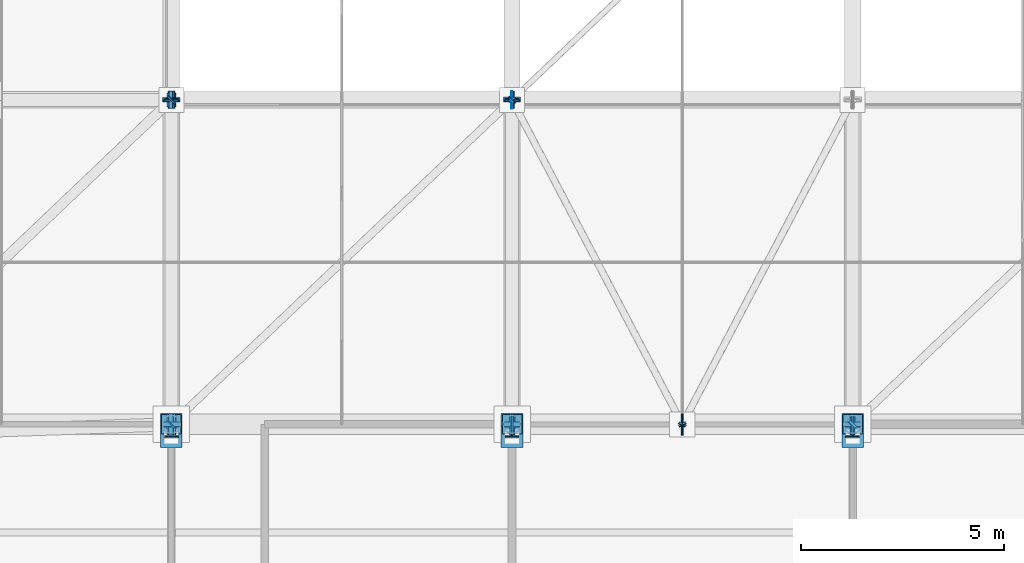
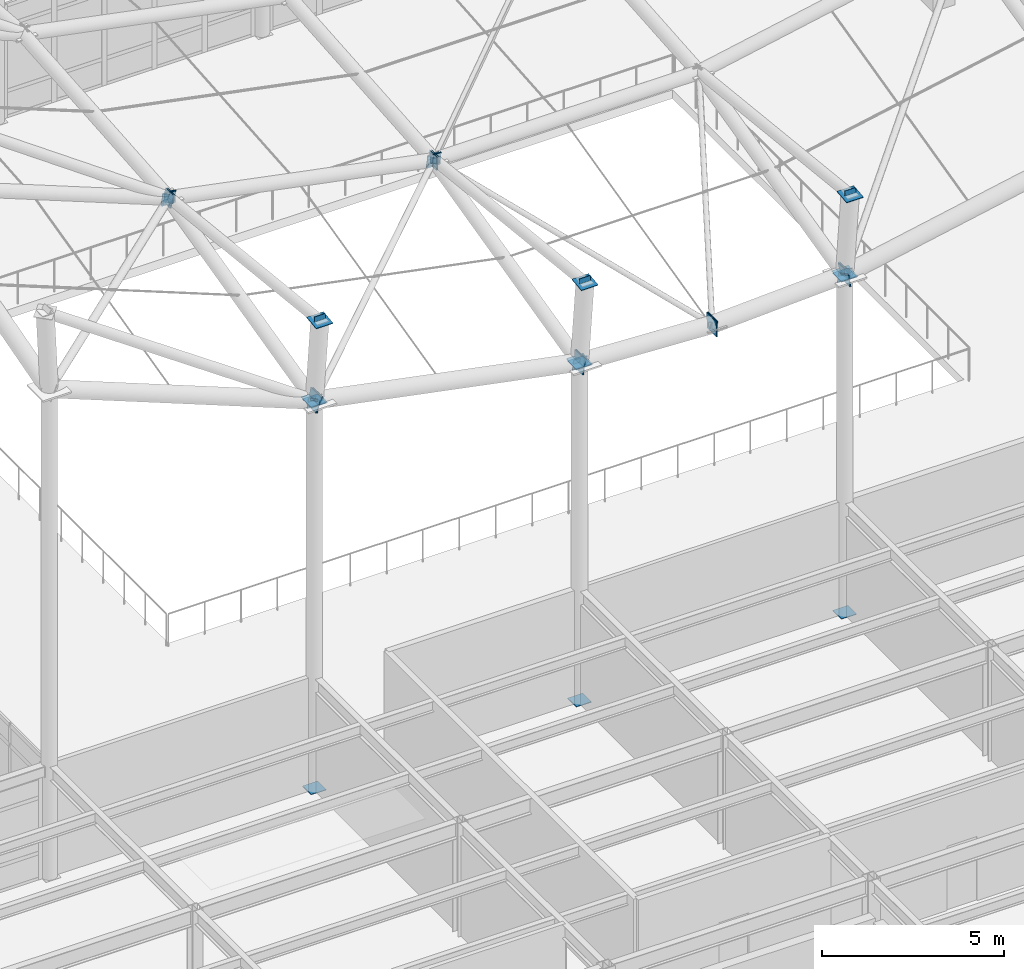
# One storey, part 95 of 138: 45 discrete accessories.
"""IFC4 building model written with IfcOpenShell, lengths in metres."""

from ifc_helpers import new_model, si_unit, direction, frame, origin, origin_2d, place, context, subcontext, project, spatial, rectangle, extrude, material, layer, layer_set, type_object, element, save


model = new_model("IFC4")

# Units and contexts
model_context = context("Model", 3, precision=1e-05, world=origin(), true_north=direction((0.0, 1.0)))
body_context = subcontext(model_context, "Body", "Model", "MODEL_VIEW")
ifc_project = project(units=[si_unit("LENGTHUNIT", "METRE"), si_unit("AREAUNIT", "SQUARE_METRE"), si_unit("VOLUMEUNIT", "CUBIC_METRE"), si_unit("PLANEANGLEUNIT", "RADIAN"), si_unit("MASSUNIT", "GRAM", prefix="KILO")], contexts=[model_context])

# Site, building, storey
site_placement = place(None, origin())
site = spatial("IfcSite", under=ifc_project, at=site_placement, CompositionType="ELEMENT")
building_placement = place(site_placement, origin())
building = spatial("IfcBuilding", under=site, at=building_placement, Name="Kranzveld Transit Interchange", CompositionType="ELEMENT")
storey_placement = place(building_placement, frame((0.0, 0.0, 5.43994140625)))
storey = spatial("IfcBuildingStorey", under=building, at=storey_placement, Name="L01", CompositionType="ELEMENT", Elevation=5.43994140625)

# Discrete accessories
ifc_material = material(Name="Steel S355JR", Category="steel")
ifc_layer = layer(ifc_material, 0.02001953125)
ifc_layer_set = layer_set([ifc_layer], Name="Steel S355JR")
discrete_accessory_type = type_object("IfcDiscreteAccessoryType", Name="Hollow Section End Cap Bracket 20 S355JR", PredefinedType="BRACKET", material=ifc_layer_set)
for number, where, z_axis, x_axis, name in (
    (1, (67.199951171875, 56.0, 0.004150390625), (0.0, 0.0, -1.0), (1.0, 0.0, 0.0), "Hollow Section End Cap C-CHS457-1"),
    (2, (67.199951171875, 56.0, 12.947998046875), (0.0, 0.0, 1.0), (1.0, 0.0, 0.0), "Hollow Section End Cap C-CHS457-2"),
    (3, (75.60009765625, 56.0, 0.004150390625), (0.0, 0.0, -1.0), (1.0, 0.0, 0.0), "Hollow Section End Cap C-CHS457-1"),
):
    element("IfcDiscreteAccessory", number, at=place(storey_placement, frame(where, z_axis=z_axis, x_axis=x_axis)), inside=storey, type_object=discrete_accessory_type, Name=name, PredefinedType="BRACKET", context=body_context, shape_type="SweptSolid", body=[
        extrude(rectangle(XDim=0.48095703125, YDim=0.48095703125, at=origin_2d()), origin(), (0.0, 0.0, 1.0), 0.02001953125),
    ])
discrete_accessory_1_placement = place(storey_placement, frame((75.60009765625, 56.0, 11.2841796875), z_axis=(0.0, 0.0, 1.0), x_axis=(1.0, 0.0, 0.0)))
element("IfcDiscreteAccessory", 4, at=discrete_accessory_1_placement, inside=storey, type_object=discrete_accessory_type, Name="Hollow Section End Cap C-CHS457-2", PredefinedType="BRACKET", context=body_context, shape_type="SweptSolid", body=[
    extrude(rectangle(XDim=0.48095703125, YDim=0.48095703125, at=origin_2d()), origin(), (0.0, 0.0, 1.0), 0.019775390625),
])
discrete_accessory_2_placement = place(storey_placement, frame((84.0, 56.0, 0.004150390625), z_axis=(0.0, 0.0, -1.0), x_axis=(1.0, 0.0, 0.0)))
element("IfcDiscreteAccessory", 5, at=discrete_accessory_2_placement, inside=storey, type_object=discrete_accessory_type, Name="Hollow Section End Cap C-CHS457-1", PredefinedType="BRACKET", context=body_context, shape_type="SweptSolid", body=[
    extrude(rectangle(XDim=0.48095703125, YDim=0.48095703125, at=origin_2d()), origin(), (0.0, 0.0, 1.0), 0.02001953125),
])
discrete_accessory_3_placement = place(storey_placement, frame((84.0, 56.0, 11.2841796875), z_axis=(0.0, 0.0, 1.0), x_axis=(1.0, 0.0, 0.0)))
element("IfcDiscreteAccessory", 6, at=discrete_accessory_3_placement, inside=storey, type_object=discrete_accessory_type, Name="Hollow Section End Cap C-CHS457-2", PredefinedType="BRACKET", context=body_context, shape_type="SweptSolid", body=[
    extrude(rectangle(XDim=0.48095703125, YDim=0.48095703125, at=origin_2d()), origin(), (0.0, 0.0, 1.0), 0.019775390625),
])
for number, where, z_axis, x_axis, name in (
    (7, (67.1962890625, 56.0, 12.983642578125), (0.925934612024, 0.0, -0.377683854905), (0.0, 1.0, 0.0), "Hollow Section End Cap B-RNG508-2"),
    (8, (67.203857421875, 56.0, 12.981201171875), (-0.980580675691, 0.0, 0.196116135138), (0.0, -1.0, 0.0), "Hollow Section End Cap B-RNG508-1"),
    (9, (75.59619140625, 56.0, 11.31884765625), (0.980580675691, 0.0, -0.196116135138), (0.0, 1.0, 0.0), "Hollow Section End Cap B-RNG508-2"),
    (10, (75.60400390625, 56.0, 11.31787109375), (-0.998812351125, 0.0, 0.048722553713), (0.0, -1.0, 0.0), "Hollow Section End Cap B-RNG508-1"),
    (11, (79.7958984375, 56.0, 11.1103515625), (0.998812351125, 0.0, -0.048722553713), (0.0, 1.0, 0.0), "Hollow Section End Cap B-RNG508-2"),
    (12, (79.803955078125, 56.0, 11.1103515625), (-0.998812351125, 0.0, -0.048722553713), (0.0, -1.0, 0.0), "Hollow Section End Cap B-RNG508-1"),
):
    element("IfcDiscreteAccessory", number, at=place(storey_placement, frame(where, z_axis=z_axis, x_axis=x_axis)), inside=storey, type_object=discrete_accessory_type, Name=name, PredefinedType="BRACKET", context=body_context, shape_type="SweptSolid", body=[
        extrude(rectangle(XDim=0.531982421875, YDim=0.531982421875, at=origin_2d()), origin(), (0.0, 0.0, 1.0), 0.02001953125),
    ])
discrete_accessory_4_placement = place(storey_placement, frame((83.99609375, 56.0, 11.31787109375), z_axis=(0.99878289929, 0.0, 0.049322612311), x_axis=(0.0, 1.0, 0.0)))
element("IfcDiscreteAccessory", 13, at=discrete_accessory_4_placement, inside=storey, type_object=discrete_accessory_type, Name="Hollow Section End Cap B-RNG508-2", PredefinedType="BRACKET", context=body_context, shape_type="SweptSolid", body=[
    extrude(rectangle(XDim=0.531982421875, YDim=0.531982421875, at=origin_2d()), origin(), (0.0, 0.0, 1.0), 0.019775390625),
])
discrete_accessory_5_placement = place(storey_placement, frame((84.00390625, 56.0, 11.31884765625), z_axis=(-0.980580675691, 0.0, -0.196116135138), x_axis=(0.0, -1.0, 0.0)))
element("IfcDiscreteAccessory", 14, at=discrete_accessory_5_placement, inside=storey, type_object=discrete_accessory_type, Name="Hollow Section End Cap B-RNG508-1", PredefinedType="BRACKET", context=body_context, shape_type="SweptSolid", body=[
    extrude(rectangle(XDim=0.531982421875, YDim=0.531982421875, at=origin_2d()), origin(), (0.0, 0.0, 1.0), 0.02001953125),
])
discrete_accessory_6_placement = place(storey_placement, frame((67.19677734375, 64.0, 14.934326171875), z_axis=(0.81865747399, 0.0, -0.57428210862), x_axis=(0.0, 1.0, 0.0)))
element("IfcDiscreteAccessory", 15, at=discrete_accessory_6_placement, inside=storey, type_object=discrete_accessory_type, Name="Hollow Section End Cap ST-CHS324-1", PredefinedType="BRACKET", context=body_context, shape_type="SweptSolid", body=[
    extrude(rectangle(XDim=0.347900390625, YDim=0.347900390625, at=origin_2d()), origin(), (0.0, 0.0, 1.0), 0.02001953125),
])
discrete_accessory_7_placement = place(storey_placement, frame((67.199951171875, 55.99951171875, 13.006103515625), z_axis=(0.0, 0.109100928002, -0.994030677348), x_axis=(-1.0, 0.0, 0.0)))
element("IfcDiscreteAccessory", 16, at=discrete_accessory_7_placement, inside=storey, type_object=discrete_accessory_type, Name="Hollow Section End Cap C-MST508-1", PredefinedType="BRACKET", context=body_context, shape_type="SweptSolid", body=[
    extrude(rectangle(XDim=0.531982421875, YDim=0.531982421875, at=origin_2d()), origin(), (0.0, 0.0, 1.0), 0.02001953125),
])
discrete_accessory_8_placement = place(storey_placement, frame((67.199951171875, 55.700439453125, 15.828125), z_axis=(0.0, -0.110431526075, 0.993883734674), x_axis=(1.0, 0.0, 0.0)))
element("IfcDiscreteAccessory", 17, at=discrete_accessory_8_placement, inside=storey, type_object=discrete_accessory_type, Name="Hollow Section End Cap C-MST508-2", PredefinedType="BRACKET", context=body_context, shape_type="SweptSolid", body=[
    extrude(rectangle(XDim=0.531982421875, YDim=0.531982421875, at=origin_2d()), origin(), (0.0, 0.0, 1.0), 0.019775390625),
])
for number, where, z_axis, x_axis, name in (
    (18, (67.199951171875, 63.99609375, 14.932373046875), (0.0, 0.995158089271, -0.098287218693), (-1.0, 0.0, 0.0), "Hollow Section End Cap ST-CHS324-1"),
    (19, (67.199951171875, 55.703857421875, 15.83154296875), (0.0, -0.993883734674, 0.110431526075), (1.0, 0.0, 0.0), "Hollow Section End Cap ST-CHS324-2"),
):
    element("IfcDiscreteAccessory", number, at=place(storey_placement, frame(where, z_axis=z_axis, x_axis=x_axis)), inside=storey, type_object=discrete_accessory_type, Name=name, PredefinedType="BRACKET", context=body_context, shape_type="SweptSolid", body=[
        extrude(rectangle(XDim=0.347900390625, YDim=0.347900390625, at=origin_2d()), origin(), (0.0, 0.0, 1.0), 0.019775390625),
    ])
discrete_accessory_9_placement = place(storey_placement, frame((75.60009765625, 55.99951171875, 11.342041015625), z_axis=(0.0, 0.110431526075, -0.993883734674), x_axis=(-1.0, 0.0, 0.0)))
element("IfcDiscreteAccessory", 20, at=discrete_accessory_9_placement, inside=storey, type_object=discrete_accessory_type, Name="Hollow Section End Cap C-MST508-1", PredefinedType="BRACKET", context=body_context, shape_type="SweptSolid", body=[
    extrude(rectangle(XDim=0.531982421875, YDim=0.531982421875, at=origin_2d()), origin(), (0.0, 0.0, 1.0), 0.019775390625),
])
discrete_accessory_10_placement = place(storey_placement, frame((75.60009765625, 55.700439453125, 14.1640625), z_axis=(0.0, -0.109100928002, 0.994030677348), x_axis=(1.0, 0.0, 0.0)))
element("IfcDiscreteAccessory", 21, at=discrete_accessory_10_placement, inside=storey, type_object=discrete_accessory_type, Name="Hollow Section End Cap C-MST508-2", PredefinedType="BRACKET", context=body_context, shape_type="SweptSolid", body=[
    extrude(rectangle(XDim=0.531982421875, YDim=0.531982421875, at=origin_2d()), origin(), (0.0, 0.0, 1.0), 0.02001953125),
])
for number, where, z_axis, x_axis, name in (
    (22, (75.60009765625, 63.99609375, 13.2685546875), (0.0, 0.993883734674, -0.110431526075), (-1.0, 0.0, 0.0), "Hollow Section End Cap ST-CHS324-1"),
    (23, (75.60009765625, 55.703857421875, 14.167724609375), (0.0, -0.995158089271, 0.098287218693), (1.0, 0.0, 0.0), "Hollow Section End Cap ST-CHS324-2"),
):
    element("IfcDiscreteAccessory", number, at=place(storey_placement, frame(where, z_axis=z_axis, x_axis=x_axis)), inside=storey, type_object=discrete_accessory_type, Name=name, PredefinedType="BRACKET", context=body_context, shape_type="SweptSolid", body=[
        extrude(rectangle(XDim=0.347900390625, YDim=0.347900390625, at=origin_2d()), origin(), (0.0, 0.0, 1.0), 0.019775390625),
    ])
discrete_accessory_11_placement = place(storey_placement, frame((84.0, 55.99951171875, 11.342041015625), z_axis=(0.0, 0.110431526075, -0.993883734674), x_axis=(-1.0, 0.0, 0.0)))
element("IfcDiscreteAccessory", 24, at=discrete_accessory_11_placement, inside=storey, type_object=discrete_accessory_type, Name="Hollow Section End Cap C-MST508-1", PredefinedType="BRACKET", context=body_context, shape_type="SweptSolid", body=[
    extrude(rectangle(XDim=0.531982421875, YDim=0.531982421875, at=origin_2d()), origin(), (0.0, 0.0, 1.0), 0.019775390625),
])
discrete_accessory_12_placement = place(storey_placement, frame((84.0, 55.700439453125, 14.1640625), z_axis=(0.0, -0.109100928002, 0.994030677348), x_axis=(1.0, 0.0, 0.0)))
element("IfcDiscreteAccessory", 25, at=discrete_accessory_12_placement, inside=storey, type_object=discrete_accessory_type, Name="Hollow Section End Cap C-MST508-2", PredefinedType="BRACKET", context=body_context, shape_type="SweptSolid", body=[
    extrude(rectangle(XDim=0.531982421875, YDim=0.531982421875, at=origin_2d()), origin(), (0.0, 0.0, 1.0), 0.02001953125),
])
discrete_accessory_13_placement = place(storey_placement, frame((84.0, 55.703857421875, 14.167724609375), z_axis=(0.0, -0.995158089271, 0.098287218693), x_axis=(1.0, 0.0, 0.0)))
element("IfcDiscreteAccessory", 26, at=discrete_accessory_13_placement, inside=storey, type_object=discrete_accessory_type, Name="Hollow Section End Cap ST-CHS324-2", PredefinedType="BRACKET", context=body_context, shape_type="SweptSolid", body=[
    extrude(rectangle(XDim=0.347900390625, YDim=0.347900390625, at=origin_2d()), origin(), (0.0, 0.0, 1.0), 0.019775390625),
])
for number, where, z_axis, x_axis, name in (
    (27, (67.199951171875, 56.00390625, 12.953125), (0.0, -0.970142500145, -0.242535625036), (1.0, 0.0, 0.0), "Hollow Section End Cap B-RIB406-1"),
    (28, (67.199951171875, 63.99609375, 14.901123046875), (0.0, 0.97293655072, 0.231072430796), (-1.0, 0.0, 0.0), "Hollow Section End Cap B-RIB406-2"),
):
    element("IfcDiscreteAccessory", number, at=place(storey_placement, frame(where, z_axis=z_axis, x_axis=x_axis)), inside=storey, type_object=discrete_accessory_type, Name=name, PredefinedType="BRACKET", context=body_context, shape_type="SweptSolid", body=[
        extrude(rectangle(XDim=0.430419921875, YDim=0.430419921875, at=origin_2d()), origin(), (0.0, 0.0, 1.0), 0.02001953125),
    ])
discrete_accessory_14_placement = place(storey_placement, frame((67.199951171875, 64.00390625, 14.90234375), z_axis=(0.0, -0.997267754457, -0.073871685515), x_axis=(1.0, 0.0, 0.0)))
element("IfcDiscreteAccessory", 29, at=discrete_accessory_14_placement, inside=storey, type_object=discrete_accessory_type, Name="Hollow Section End Cap B-RIB406-1", PredefinedType="BRACKET", context=body_context, shape_type="SweptSolid", body=[
    extrude(rectangle(XDim=0.430419921875, YDim=0.430419921875, at=origin_2d()), origin(), (0.0, 0.0, 1.0), 0.019775390625),
])
for number, where, z_axis, x_axis, name in (
    (30, (75.60009765625, 56.00390625, 11.2890625), (0.0, -0.970142500145, -0.242535625036), (1.0, 0.0, 0.0), "Hollow Section End Cap B-RIB406-1"),
    (31, (75.60009765625, 63.99609375, 13.237060546875), (0.0, 0.970142500145, 0.242535625036), (-1.0, 0.0, 0.0), "Hollow Section End Cap B-RIB406-2"),
):
    element("IfcDiscreteAccessory", number, at=place(storey_placement, frame(where, z_axis=z_axis, x_axis=x_axis)), inside=storey, type_object=discrete_accessory_type, Name=name, PredefinedType="BRACKET", context=body_context, shape_type="SweptSolid", body=[
        extrude(rectangle(XDim=0.430419921875, YDim=0.430419921875, at=origin_2d()), origin(), (0.0, 0.0, 1.0), 0.02001953125),
    ])
discrete_accessory_15_placement = place(storey_placement, frame((75.60009765625, 64.00390625, 13.23828125), z_axis=(0.0, -0.997267754457, -0.073871685515), x_axis=(1.0, 0.0, 0.0)))
element("IfcDiscreteAccessory", 32, at=discrete_accessory_15_placement, inside=storey, type_object=discrete_accessory_type, Name="Hollow Section End Cap B-RIB406-1", PredefinedType="BRACKET", context=body_context, shape_type="SweptSolid", body=[
    extrude(rectangle(XDim=0.430419921875, YDim=0.430419921875, at=origin_2d()), origin(), (0.0, 0.0, 1.0), 0.019775390625),
])
for number, where, z_axis, x_axis, name in (
    (33, (84.0, 56.00390625, 11.2890625), (0.0, -0.970142500145, -0.242535625036), (1.0, 0.0, 0.0), "Hollow Section End Cap B-RIB406-1"),
    (34, (67.1962890625, 64.0, 14.903564453125), (0.930155221331, 0.0, -0.367166534736), (0.0, 1.0, 0.0), "Hollow Section End Cap B-RIB406-2"),
    (35, (67.203857421875, 64.0, 14.9013671875), (-0.980580675691, 0.0, 0.196116135138), (0.0, -1.0, 0.0), "Hollow Section End Cap B-RIB406-1"),
    (36, (75.59619140625, 64.0, 13.23876953125), (0.980580675691, 0.0, -0.196116135138), (0.0, 1.0, 0.0), "Hollow Section End Cap B-RIB406-2"),
    (37, (75.60400390625, 64.0, 13.238037109375), (-1.0, 0.0, 0.0), (0.0, -1.0, 0.0), "Hollow Section End Cap B-RIB406-1"),
):
    element("IfcDiscreteAccessory", number, at=place(storey_placement, frame(where, z_axis=z_axis, x_axis=x_axis)), inside=storey, type_object=discrete_accessory_type, Name=name, PredefinedType="BRACKET", context=body_context, shape_type="SweptSolid", body=[
        extrude(rectangle(XDim=0.430419921875, YDim=0.430419921875, at=origin_2d()), origin(), (0.0, 0.0, 1.0), 0.02001953125),
    ])
discrete_accessory_16_placement = place(storey_placement, frame((67.197021484375, 63.997314453125, 14.882568359375), z_axis=(0.719887010803, 0.683282586524, -0.122014747594), x_axis=(-0.688426310031, 0.725306290926, 0.0)))
element("IfcDiscreteAccessory", 38, at=discrete_accessory_16_placement, inside=storey, type_object=discrete_accessory_type, Name="Hollow Section End Cap BR-CHS244-2", PredefinedType="BRACKET", context=body_context, shape_type="SweptSolid", body=[
    extrude(rectangle(XDim=0.2685546875, YDim=0.2685546875, at=origin_2d()), origin(), (0.0, 0.0, 1.0), 0.02001953125),
])
for number, where, z_axis, x_axis, name in (
    (39, (67.202880859375, 56.002685546875, 12.93212890625), (-0.725087165153, -0.688218326247, -0.024579225937), (0.688426310031, -0.725306290926, 0.0), "Hollow Section End Cap BR-CHS194-1"),
    (40, (75.59716796875, 63.997314453125, 13.218017578125), (0.725087165153, 0.688218326247, 0.024579225937), (-0.688426310031, 0.725306290926, 0.0), "Hollow Section End Cap BR-CHS194-2"),
):
    element("IfcDiscreteAccessory", number, at=place(storey_placement, frame(where, z_axis=z_axis, x_axis=x_axis)), inside=storey, type_object=discrete_accessory_type, Name=name, PredefinedType="BRACKET", context=body_context, shape_type="SweptSolid", body=[
        extrude(rectangle(XDim=0.2177734375, YDim=0.2177734375, at=origin_2d()), origin(), (0.0, 0.0, 1.0), 0.019775390625),
    ])
discrete_accessory_17_placement = place(storey_placement, frame((84.002685546875, 56.002685546875, 11.269287109375), z_axis=(-0.685326205822, -0.6608502699, -0.305949199028), x_axis=(0.694135570584, -0.719844295421, 0.0)))
element("IfcDiscreteAccessory", 41, at=discrete_accessory_17_placement, inside=storey, type_object=discrete_accessory_type, Name="Hollow Section End Cap BR-CHS194-1", PredefinedType="BRACKET", context=body_context, shape_type="SweptSolid", body=[
    extrude(rectangle(XDim=0.2177734375, YDim=0.2177734375, at=origin_2d()), origin(), (0.0, 0.0, 1.0), 0.02001953125),
])
discrete_accessory_18_placement = place(storey_placement, frame((75.602783203125, 64.002685546875, 13.21826171875), z_axis=(-0.724430977539, -0.687595504105, -0.049113964579), x_axis=(0.688426310031, -0.725306290926, 0.0)))
element("IfcDiscreteAccessory", 42, at=discrete_accessory_18_placement, inside=storey, type_object=discrete_accessory_type, Name="Hollow Section End Cap BR-SHS150-1", PredefinedType="BRACKET", context=body_context, shape_type="SweptSolid", body=[
    extrude(rectangle(XDim=0.174072265625, YDim=0.174072265625, at=origin_2d()), origin(), (0.0, 0.0, 1.0), 0.019775390625),
])
for number, where, z_axis, x_axis, name in (
    (43, (75.601806640625, 63.99658203125, 13.237060546875), (-0.45440694448, 0.859688813881, 0.233344106625), (-0.884094940295, -0.467307325584, 0.0), "Hollow Section End Cap BR-CHS168-1"),
    (44, (79.798095703125, 56.00341796875, 11.111083984375), (0.45440694448, -0.859688813881, -0.233344106625), (0.884094940295, 0.467307325584, 0.0), "Hollow Section End Cap BR-CHS168-2"),
    (45, (79.8017578125, 56.00341796875, 11.111083984375), (-0.45440694448, -0.859688813881, -0.233344106625), (0.884094940295, -0.467307325584, 0.0), "Hollow Section End Cap BR-CHS168-2"),
):
    element("IfcDiscreteAccessory", number, at=place(storey_placement, frame(where, z_axis=z_axis, x_axis=x_axis)), inside=storey, type_object=discrete_accessory_type, Name=name, PredefinedType="BRACKET", context=body_context, shape_type="SweptSolid", body=[
        extrude(rectangle(XDim=0.1923828125, YDim=0.1923828125, at=origin_2d()), origin(), (0.0, 0.0, 1.0), 0.019775390625),
    ])

save(model, "model.ifc")
